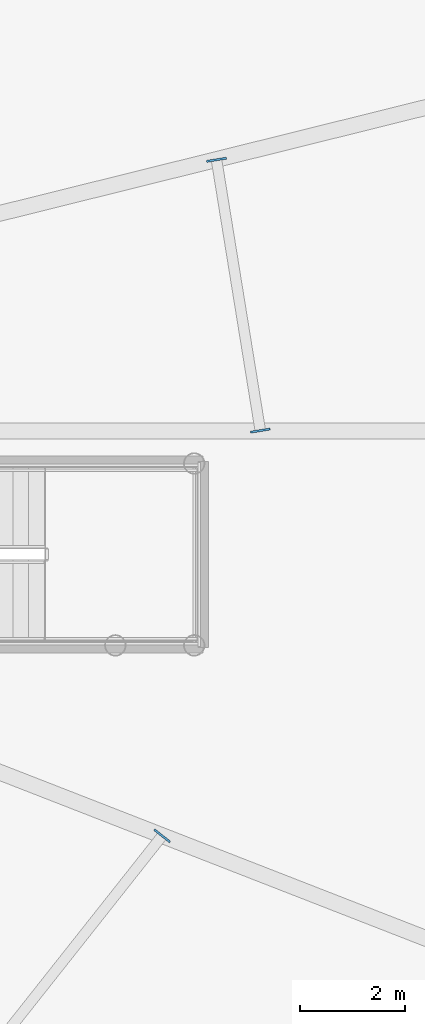
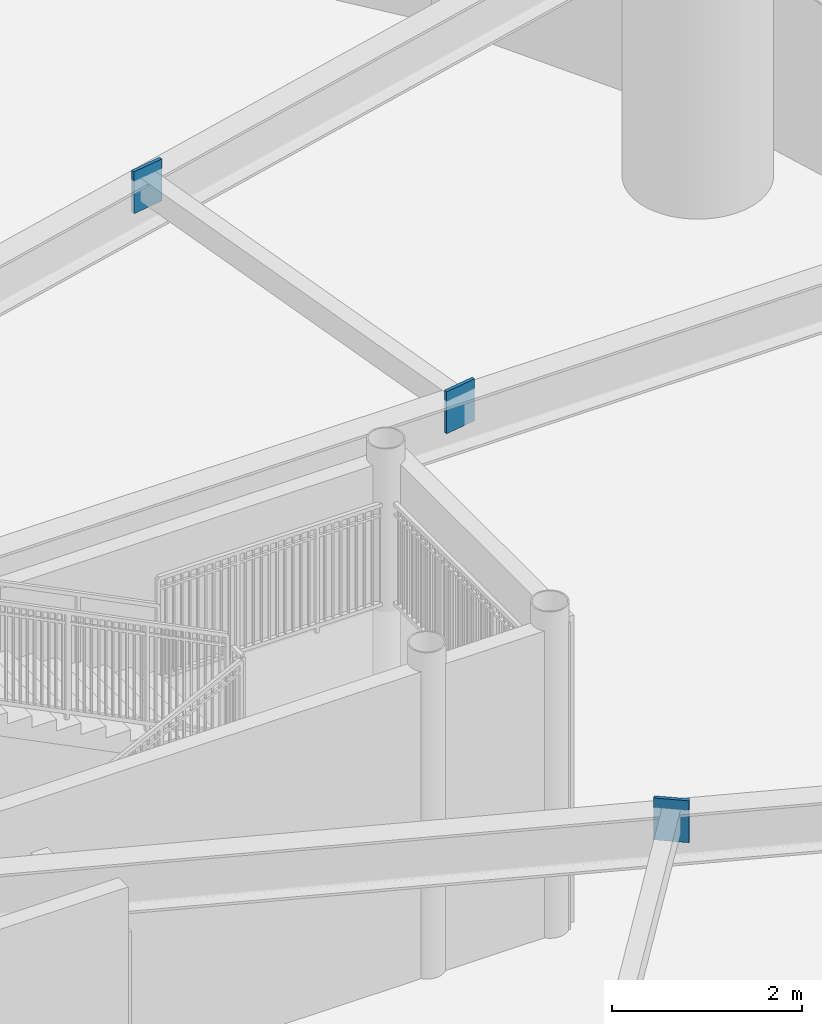
# One storey, part 17 of 35: 3 plates.
"""IFC4 building model written with IfcOpenShell, lengths in metres."""

from ifc_helpers import new_model, si_unit, direction, frame, origin, origin_2d, place, context, subcontext, project, spatial, rectangle, extrude, source, transform, mapped, material, layer, layer_set, type_object, element, save


model = new_model("IFC4")

# Units and contexts
model_context = context("Model", 3, precision=1e-05, world=origin(), true_north=direction((0.0, 1.0)))
body_context = subcontext(model_context, "Body", "Model", "MODEL_VIEW")
ifc_project = project(units=[si_unit("LENGTHUNIT", "METRE"), si_unit("AREAUNIT", "SQUARE_METRE"), si_unit("VOLUMEUNIT", "CUBIC_METRE"), si_unit("PLANEANGLEUNIT", "RADIAN"), si_unit("MASSUNIT", "GRAM", prefix="KILO")], contexts=[model_context])

# Site, building, storey
site_placement = place(None, origin())
site = spatial("IfcSite", under=ifc_project, at=site_placement, CompositionType="ELEMENT")
building_placement = place(site_placement, origin())
building = spatial("IfcBuilding", under=site, at=building_placement, Name="Linh Dai School and Residence Tower", CompositionType="ELEMENT")
storey_placement = place(building_placement, frame((0.0, 0.0, 32.39990234375)))
storey = spatial("IfcBuildingStorey", under=building, at=storey_placement, Name="L07", CompositionType="ELEMENT", Elevation=32.39990234375)

# Plates
ifc_material = material(Name="Structural Steel S355JR", Category="steel")
ifc_layer = layer(ifc_material, 0.0400390625)
ifc_layer_set = layer_set([ifc_layer], Name="Structural Steel S355JR")
plate_type = type_object("IfcPlateType", Name="PLT-GP1", PredefinedType="USERDEFINED", material=ifc_layer_set)
shared_shape = source(origin(), body_context, "Body", "SweptSolid", [
    extrude(rectangle(XDim=0.0400390625, YDim=0.3798828125, at=origin_2d()), origin(), (0.0, 0.0, 1.0), 0.5400390625),
])
for number, where, z_axis, x_axis, name in (
    (1, (57.607177734375, 27.0048828125, 3.530029296875), (0.0, 0.0, 1.0), (-0.159659022119, 0.987172222389, 0.0), "L07 Secondary Beam End Plate 01A"),
    (2, (56.774169921875, 32.15625, 3.530029296875), (0.0, 0.0, 1.0), (-0.159659022119, 0.987172222389, 0.0), "L07 Secondary Beam End Plate 01B"),
    (3, (55.740478515625, 19.297607421875, 3.530029296875), (0.0, 0.0, 1.0), (0.620177637481, 0.784461406297, 0.0), "L07 Secondary Beam End Plate 08B"),
):
    element("IfcPlate", number, at=place(storey_placement, frame(where, z_axis=z_axis, x_axis=x_axis)), inside=storey, type_object=plate_type, Name=name, ObjectType="GUSSET PLATE", PredefinedType="USERDEFINED", context=body_context, shape_type="MappedRepresentation", body=[
        mapped(shared_shape, transform((0.0, 0.0, 0.0), x_axis=(1.0, 0.0, 0.0), y_axis=(0.0, 1.0, 0.0), z_axis=(0.0, 0.0, 1.0), scale=1.0)),
    ])

save(model, "model.ifc")
